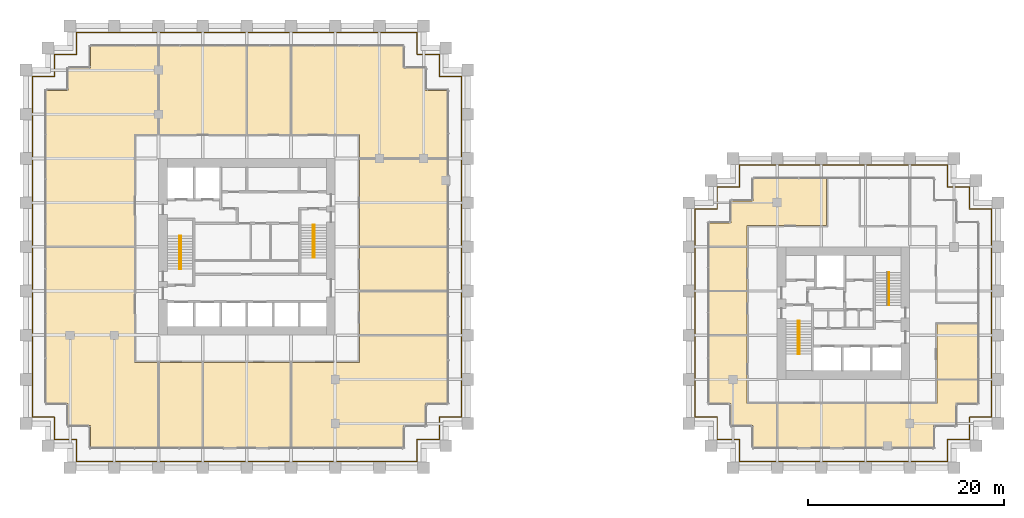
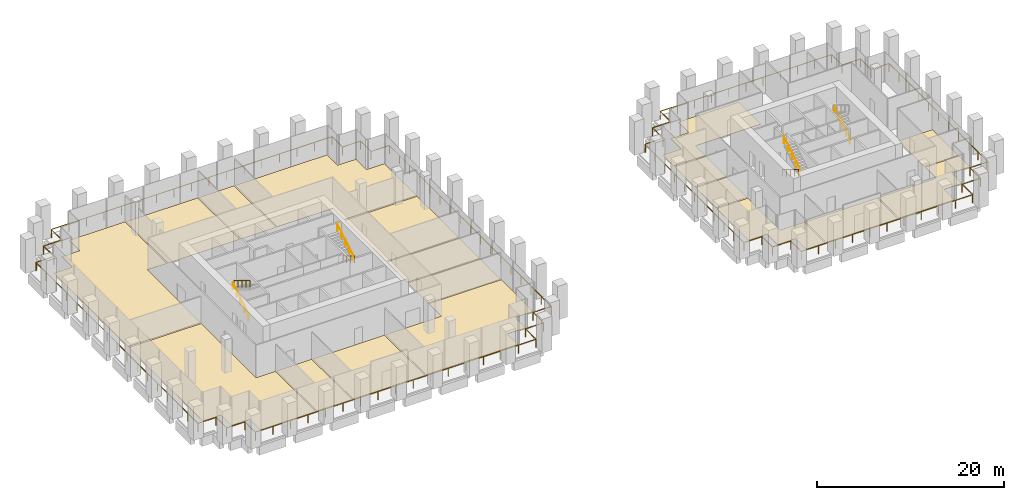
# One storey, part 35 of 36: 18 coverings, 9 railings.
"""IFC4 building model written with IfcOpenShell, lengths in metres."""

import ifcopenshell
import ifcopenshell.guid

model = None  # the IFC model being written
_history = None  # IfcOwnerHistory: only IFC2X3 demands one
_inside = {}  # id of a spatial element -> (the spatial element, [elements in it])
_under = {}  # id of a project, library or spatial element -> (it, [spatial elements below it])
_declared = {}  # id of a project -> (the project, [libraries it declares])
_typed = {}  # id of a type object -> (the type object, [elements of that type])
_made_of = {}  # id of a material, layer set ... -> (it, [elements and type objects made of it])


def new_model(schema):
    """Start an empty IFC model of exactly this schema.

    Asked for "IFC4X3", IfcOpenShell would pick the latest addendum, in which some entities
    have other attributes; the version numbers below select the first issue.
    IFC2X3 requires an IfcOwnerHistory on every rooted entity: one is made here for all.
    """
    global model, _history
    if schema == "IFC4X3":
        model = ifcopenshell.file(schema_version=(4, 3, 0, 0))
    else:
        model = ifcopenshell.file(schema=schema)
    _inside.clear()
    _under.clear()
    _declared.clear()
    _typed.clear()
    _made_of.clear()
    _history = None
    if model.schema == "IFC2X3":
        org = make("IfcOrganization", Name="unknown")
        user = make(
            "IfcPersonAndOrganization",
            ThePerson=make("IfcPerson", FamilyName="unknown"),
            TheOrganization=org,
        )
        app = make(
            "IfcApplication",
            ApplicationDeveloper=org,
            Version="unknown",
            ApplicationFullName="unknown",
            ApplicationIdentifier="unknown",
        )
        _history = make(
            "IfcOwnerHistory",
            OwningUser=user,
            OwningApplication=app,
            ChangeAction="ADDED",
            CreationDate=0,
        )
    return model


def make(cls, **values):
    """One entity of the class cls with the attributes given. An attribute that is None is left unset."""
    return model.create_entity(
        cls, **{name: value for name, value in values.items() if value is not None}
    )


def rooted(cls, **values):
    """An entity with a GlobalId (a new one), such as an element, a storey or a relation."""
    return make(cls, GlobalId=ifcopenshell.guid.new(), OwnerHistory=_history, **values)


def si_unit(unit_type, name, prefix=None):
    """IfcSIUnit, for example si_unit("LENGTHUNIT", "METRE", prefix="MILLI")."""
    return make("IfcSIUnit", UnitType=unit_type, Prefix=prefix, Name=name)


def assignment(units):
    """IfcUnitAssignment: the units of a project."""
    return None if units is None else make("IfcUnitAssignment", Units=units)


def point(xyz):
    """IfcCartesianPoint."""
    return None if xyz is None else make("IfcCartesianPoint", Coordinates=xyz)


def direction(xyz):
    """IfcDirection."""
    return None if xyz is None else make("IfcDirection", DirectionRatios=xyz)


def frame(location, z_axis=None, x_axis=None):
    """IfcAxis2Placement3D, a coordinate frame: its origin and axes. An axis left out is left unset."""
    return make(
        "IfcAxis2Placement3D",
        Location=point(location),
        Axis=direction(z_axis),
        RefDirection=direction(x_axis),
    )


def frame_2d(location, x_axis=None):
    """IfcAxis2Placement2D, a coordinate frame in the plane: its origin and x axis."""
    return make(
        "IfcAxis2Placement2D", Location=point(location), RefDirection=direction(x_axis)
    )


def origin():
    """The frame at (0, 0, 0) with its axes left unset."""
    return frame((0.0, 0.0, 0.0))


def origin_2d():
    """The frame at (0, 0) in the plane with its x axis left unset."""
    return frame_2d((0.0, 0.0))


def place(relative_to, where):
    """IfcLocalPlacement: puts the frame where relative to a parent placement (None: the world)."""
    return make(
        "IfcLocalPlacement", PlacementRelTo=relative_to, RelativePlacement=where
    )


def context(
    kind, dimensions, precision=None, world=None, true_north=None, identifier=None
):
    """IfcGeometricRepresentationContext, for example the 3D "Model" context."""
    return make(
        "IfcGeometricRepresentationContext",
        ContextIdentifier=identifier,
        ContextType=kind,
        CoordinateSpaceDimension=dimensions,
        Precision=precision,
        WorldCoordinateSystem=world,
        TrueNorth=true_north,
    )


def subcontext(parent, identifier, kind, view, scale=None):
    """IfcGeometricRepresentationSubContext, for example "Body" below "Model"."""
    return make(
        "IfcGeometricRepresentationSubContext",
        ContextIdentifier=identifier,
        ContextType=kind,
        ParentContext=parent,
        TargetScale=scale,
        TargetView=view,
    )


def project(units=None, contexts=None):
    """IfcProject with its units and contexts."""
    return rooted(
        "IfcProject",
        Name="project",
        RepresentationContexts=contexts,
        UnitsInContext=assignment(units),
    )


def spatial(cls, under=None, at=None, **own):
    """A site, building, storey or space (cls), placed at a placement, below another one or the project."""
    s = rooted(cls, ObjectPlacement=at, **own)
    if under is not None:
        _under.setdefault(under.id(), (under, []))[1].append(s)
    return s


def polyline(points):
    """IfcPolyline through the points."""
    return make("IfcPolyline", Points=[point(p) for p in points])


def profile(cls, at=None, kind="AREA", **sizes):
    """A parametric profile (cls). Its sizes go by their IFC names, for example OverallWidth=200.0."""
    return make(cls, ProfileType=kind, Position=at, **sizes)


def circle(**sizes):
    """IfcCircleProfileDef."""
    return profile("IfcCircleProfileDef", **sizes)


def outline(outer, holes=None, kind="AREA"):
    """IfcArbitraryClosedProfileDef: a profile drawn as a closed curve; with holes, ...WithVoids."""
    if holes is None:
        return make("IfcArbitraryClosedProfileDef", ProfileType=kind, OuterCurve=outer)
    return make(
        "IfcArbitraryProfileDefWithVoids",
        ProfileType=kind,
        OuterCurve=outer,
        InnerCurves=holes,
    )


def extrude(swept, where, along, depth):
    """IfcExtrudedAreaSolid: the profile swept, set in the frame where, extruded along a direction by depth."""
    return make(
        "IfcExtrudedAreaSolid",
        SweptArea=swept,
        Position=where,
        ExtrudedDirection=direction(along),
        Depth=depth,
    )


def shape(context_of_items, identifier, shape_type, items):
    """IfcShapeRepresentation: the items that make up one representation, for example the "Body"."""
    return make(
        "IfcShapeRepresentation",
        ContextOfItems=context_of_items,
        RepresentationIdentifier=identifier,
        RepresentationType=shape_type,
        Items=items,
    )


def source(mapping_origin, context_of_items, identifier, shape_type, items):
    """IfcRepresentationMap: a shape defined once, which mapped items show again and again."""
    return make(
        "IfcRepresentationMap",
        MappingOrigin=mapping_origin,
        MappedRepresentation=shape(context_of_items, identifier, shape_type, items),
    )


def transform(
    local_origin,
    x_axis=None,
    y_axis=None,
    z_axis=None,
    scale=None,
    scale2=None,
    scale3=None,
    uniform=True,
):
    """IfcCartesianTransformationOperator3D, or its non-uniform kind. x_axis, y_axis, z_axis: its Axis1, 2, 3."""
    if uniform:
        return make(
            "IfcCartesianTransformationOperator3D",
            Axis1=direction(x_axis),
            Axis2=direction(y_axis),
            LocalOrigin=point(local_origin),
            Scale=scale,
            Axis3=direction(z_axis),
        )
    return make(
        "IfcCartesianTransformationOperator3DnonUniform",
        Axis1=direction(x_axis),
        Axis2=direction(y_axis),
        LocalOrigin=point(local_origin),
        Scale=scale,
        Axis3=direction(z_axis),
        Scale2=scale2,
        Scale3=scale3,
    )


def mapped(mapping_source, mapping_target):
    """IfcMappedItem: shows the shape of a source again, moved by a transform."""
    return make(
        "IfcMappedItem", MappingSource=mapping_source, MappingTarget=mapping_target
    )


def material(Name=None, Category=None):
    """IfcMaterial."""
    return make("IfcMaterial", Name=Name, Category=Category)


def layer(
    of_material, thickness, ventilated=None, Name=None, Category=None, Priority=None
):
    """IfcMaterialLayer: one layer of a wall or slab, of a material (None: an air gap)."""
    return make(
        "IfcMaterialLayer",
        Material=of_material,
        LayerThickness=thickness,
        IsVentilated=ventilated,
        Name=Name,
        Category=Category,
        Priority=Priority,
    )


def layer_set(layers, Name=None):
    """IfcMaterialLayerSet."""
    return make("IfcMaterialLayerSet", MaterialLayers=layers, LayerSetName=Name)


def made_of(thing, what):
    """Note that an element or type object is made of a material, layer set ...; save() writes the relation."""
    if what is not None:
        _made_of.setdefault(what.id(), (what, []))[1].append(thing)
    return thing


def type_object(cls, material=None, **own):
    """A type object (cls), such as IfcWallType, which elements share."""
    return made_of(rooted(cls, **own), material)


def element(
    cls,
    number,
    at=None,
    inside=None,
    cuts=None,
    type_object=None,
    material=None,
    context=None,
    identifier="Body",
    shape_type=None,
    held_by="IfcProductDefinitionShape",
    body=None,
    shapes=None,
    **own,
):
    """One element of the class cls, such as IfcWall. Its Tag is "e" and its number.

    at: its placement. inside: the storey or other place that contains it. cuts: it is an
    opening in that element (IfcRelVoidsElement). A single representation is given by context,
    identifier, shape_type and body (its items); several are given by shapes. held_by: the class
    of the entity that holds the representations. save() writes the other relations.
    """
    e = rooted(cls, Tag="e%d" % number, ObjectPlacement=at, **own)
    if body is not None:
        shapes = [shape(context, identifier, shape_type, body)]
    if shapes is not None:
        e.Representation = make(held_by, Representations=shapes)
    if inside is not None:
        _inside.setdefault(inside.id(), (inside, []))[1].append(e)
    if cuts is not None:
        rooted(
            "IfcRelVoidsElement", RelatingBuildingElement=cuts, RelatedOpeningElement=e
        )
    if type_object is not None:
        _typed.setdefault(type_object.id(), (type_object, []))[1].append(e)
    return made_of(e, material)


def aggregate(whole, parts):
    """IfcRelAggregates: a whole, such as a stair, and the parts it consists of."""
    return rooted("IfcRelAggregates", RelatingObject=whole, RelatedObjects=parts)


def save(model, path):
    """Write the relations noted so far, then the file.

    IfcRelAggregates (storeys below a building ...), IfcRelContainedInSpatialStructure (elements
    in a storey), IfcRelDefinesByType, IfcRelAssociatesMaterial and IfcRelDeclares: one each for
    every whole, place, type object, material and project.
    """
    for whole, parts in _under.values():
        aggregate(whole, parts)
    for where, things in _inside.values():
        rooted(
            "IfcRelContainedInSpatialStructure",
            RelatedElements=things,
            RelatingStructure=where,
        )
    for kind, things in _typed.values():
        rooted("IfcRelDefinesByType", RelatedObjects=things, RelatingType=kind)
    for what, things in _made_of.values():
        rooted("IfcRelAssociatesMaterial", RelatedObjects=things, RelatingMaterial=what)
    for by, libraries in _declared.values():
        rooted("IfcRelDeclares", RelatingContext=by, RelatedDefinitions=libraries)
    model.write(path)


model = new_model("IFC4")

# Units and contexts
model_context = context("Model", 3, precision=1e-05, world=origin(), true_north=direction((0.0, 1.0)))
body_context = subcontext(model_context, "Body", "Model", "MODEL_VIEW")
ifc_project = project(units=[si_unit("LENGTHUNIT", "METRE"), si_unit("AREAUNIT", "SQUARE_METRE"), si_unit("VOLUMEUNIT", "CUBIC_METRE"), si_unit("PLANEANGLEUNIT", "RADIAN"), si_unit("MASSUNIT", "GRAM", prefix="KILO")], contexts=[model_context])

# Site, building, storey
site_placement = place(None, origin())
site = spatial("IfcSite", under=ifc_project, at=site_placement, CompositionType="ELEMENT")
building_placement = place(site_placement, origin())
building = spatial("IfcBuilding", under=site, at=building_placement, Name="Altepetl Exchange Towers", CompositionType="ELEMENT")
storey_placement = place(building_placement, frame((0.0, 0.0, 43.0)))
storey = spatial("IfcBuildingStorey", under=building, at=storey_placement, Name="L09", CompositionType="ELEMENT", Elevation=43.0)

# Coverings
ifc_material_1 = material(Name="Carpet tile")
ifc_layer_1 = layer(ifc_material_1, 0.02001953125)
ifc_layer_set_1 = layer_set([ifc_layer_1], Name="Carpet tile")
covering_type_1 = type_object("IfcCoveringType", Name="Carpet tile floor", PredefinedType="FLOORING", material=ifc_layer_set_1)
covering_1_placement = place(storey_placement, origin())
element("IfcCovering", 1, at=covering_1_placement, inside=storey, type_object=covering_type_1, Name="Open office floor finish A09.01", PredefinedType="FLOORING", context=body_context, shape_type="SweptSolid", body=[
    extrude(outline(polyline([(40.4375, 29.0625), (40.4375, 37.737548828125), (38.03759765625, 37.737548828125), (38.03759765625, 49.4375), (29.0625, 49.4375), (29.0625, 33.5625), (31.3125, 33.5625), (31.3125, 31.3125), (33.5625, 31.3125), (33.5625, 29.0625), (40.4375, 29.0625)])), origin(), (0.0, 0.0, 1.0), 0.02001953125),
])
covering_2_placement = place(storey_placement, origin())
element("IfcCovering", 2, at=covering_2_placement, inside=storey, type_object=covering_type_1, Name="Pantry floor finish A09.02", PredefinedType="FLOORING", context=body_context, shape_type="SweptSolid", body=[
    extrude(outline(polyline([(44.9375, 29.0625), (44.9375, 37.737548828125), (40.5625, 37.737548828125), (40.5625, 29.0625), (44.9375, 29.0625)])), origin(), (0.0, 0.0, 1.0), 0.02001953125),
])
covering_3_placement = place(storey_placement, origin())
element("IfcCovering", 3, at=covering_3_placement, inside=storey, type_object=covering_type_1, Name="Huddle room floor finish A09.03", PredefinedType="FLOORING", context=body_context, shape_type="SweptSolid", body=[
    extrude(outline(polyline([(53.9375, 29.0625), (53.9375, 37.737548828125), (45.0625, 37.737548828125), (45.0625, 29.0625), (53.9375, 29.0625)])), origin(), (0.0, 0.0, 1.0), 0.02001953125),
])
covering_4_placement = place(storey_placement, origin())
element("IfcCovering", 4, at=covering_4_placement, inside=storey, type_object=covering_type_1, Name="Pantry floor finish A09.05", PredefinedType="FLOORING", context=body_context, shape_type="SweptSolid", body=[
    extrude(outline(polyline([(69.9375, 44.9375), (60.96240234375, 44.9375), (60.96240234375, 40.5625), (69.9375, 40.5625), (69.9375, 44.9375)])), origin(), (0.0, 0.0, 1.0), 0.02001953125),
])
covering_5_placement = place(storey_placement, origin())
element("IfcCovering", 5, at=covering_5_placement, inside=storey, type_object=covering_type_1, Name="Quiet room floor finish A09.06", PredefinedType="FLOORING", context=body_context, shape_type="SweptSolid", body=[
    extrude(outline(polyline([(69.9375, 49.4375), (60.96240234375, 49.4375), (60.96240234375, 45.0625), (69.9375, 45.0625), (69.9375, 49.4375)])), origin(), (0.0, 0.0, 1.0), 0.02001953125),
])
covering_6_placement = place(storey_placement, origin())
element("IfcCovering", 6, at=covering_6_placement, inside=storey, type_object=covering_type_1, Name="Huddle room floor finish A09.07", PredefinedType="FLOORING", context=body_context, shape_type="SweptSolid", body=[
    extrude(outline(polyline([(69.9375, 58.4375), (60.96240234375, 58.4375), (60.96240234375, 49.5625), (69.9375, 49.5625), (69.9375, 58.4375)])), origin(), (0.0, 0.0, 1.0), 0.02001953125),
])
covering_7_placement = place(storey_placement, origin())
element("IfcCovering", 7, at=covering_7_placement, inside=storey, type_object=covering_type_1, Name="Pantry floor finish A09.09", PredefinedType="FLOORING", context=body_context, shape_type="SweptSolid", body=[
    extrude(outline(polyline([(49.5625, 69.9375), (49.5625, 60.96240234375), (53.9375, 60.96240234375), (53.9375, 69.9375), (49.5625, 69.9375)])), origin(), (0.0, 0.0, 1.0), 0.02001953125),
])
covering_8_placement = place(storey_placement, origin())
element("IfcCovering", 8, at=covering_8_placement, inside=storey, type_object=covering_type_1, Name="Meeting room floor finish A09.10", PredefinedType="FLOORING", context=body_context, shape_type="SweptSolid", body=[
    extrude(outline(polyline([(40.5625, 69.9375), (40.5625, 60.96240234375), (49.4375, 60.96240234375), (49.4375, 69.9375), (40.5625, 69.9375)])), origin(), (0.0, 0.0, 1.0), 0.02001953125),
])
covering_9_placement = place(storey_placement, origin())
element("IfcCovering", 9, at=covering_9_placement, inside=storey, type_object=covering_type_1, Name="Interview room floor finish B09.01", PredefinedType="FLOORING", context=body_context, shape_type="SweptSolid", body=[
    extrude(outline(polyline([(100.4375, 40.4375), (96.5625, 40.4375), (96.5625, 33.5625), (98.8125, 33.5625), (98.8125, 31.3125), (101.0625, 31.3125), (101.0625, 29.0625), (103.4375, 29.0625), (103.4375, 33.53759765625), (100.4375, 33.53759765625), (100.4375, 40.4375)])), origin(), (0.0, 0.0, 1.0), 0.02001953125),
])
covering_10_placement = place(storey_placement, origin())
element("IfcCovering", 10, at=covering_10_placement, inside=storey, type_object=covering_type_1, Name="Meeting room floor finish B09.02", PredefinedType="FLOORING", context=body_context, shape_type="SweptSolid", body=[
    extrude(outline(polyline([(103.5625, 33.53759765625), (103.5625, 29.0625), (112.4375, 29.0625), (112.4375, 33.53759765625), (103.5625, 33.53759765625)])), origin(), (0.0, 0.0, 1.0), 0.02001953125),
])
covering_11_placement = place(storey_placement, origin())
element("IfcCovering", 11, at=covering_11_placement, inside=storey, type_object=covering_type_1, Name="Quiet room floor finish B09.04", PredefinedType="FLOORING", context=body_context, shape_type="SweptSolid", body=[
    extrude(outline(polyline([(119.762451171875, 41.637451171875), (119.762451171875, 36.0625), (123.9375, 36.0625), (123.9375, 41.637451171875), (119.762451171875, 41.637451171875)])), origin(), (0.0, 0.0, 1.0), 0.02001953125),
])
covering_12_placement = place(storey_placement, origin())
element("IfcCovering", 12, at=covering_12_placement, inside=storey, type_object=covering_type_1, Name="Pantry floor finish B09.08", PredefinedType="FLOORING", context=body_context, shape_type="SweptSolid", body=[
    extrude(outline(polyline([(100.4375, 49.4375), (96.5625, 49.4375), (96.5625, 45.0625), (100.4375, 45.0625), (100.4375, 49.4375)])), origin(), (0.0, 0.0, 1.0), 0.02001953125),
])
covering_13_placement = place(storey_placement, origin())
element("IfcCovering", 13, at=covering_13_placement, inside=storey, type_object=covering_type_1, Name="Pantry floor finish B09.09", PredefinedType="FLOORING", context=body_context, shape_type="SweptSolid", body=[
    extrude(outline(polyline([(100.4375, 44.9375), (96.5625, 44.9375), (96.5625, 40.5625), (100.4375, 40.5625), (100.4375, 44.9375)])), origin(), (0.0, 0.0, 1.0), 0.02001953125),
])
ifc_material_2 = material(Name="Calcium sulphate access floor panel")
ifc_layer_2 = layer(ifc_material_2, 0.0400390625)
ifc_layer_set_2 = layer_set([ifc_layer_2], Name="Calcium sulphate access floor panel")
covering_type_2 = type_object("IfcCoveringType", Name="Raised access floor panels", PredefinedType="FLOORING", material=ifc_layer_set_2)
covering_14_placement = place(storey_placement, origin())
element("IfcCovering", 14, at=covering_14_placement, inside=storey, type_object=covering_type_2, Name="Trading office floor finish A09.04", PredefinedType="FLOORING", context=body_context, shape_type="SweptSolid", body=[
    extrude(outline(polyline([(69.9375, 40.4375), (60.96240234375, 40.4375), (60.96240234375, 37.737548828125), (54.0625, 37.737548828125), (54.0625, 29.0625), (65.4375, 29.0625), (65.4375, 31.3125), (67.6875, 31.3125), (67.6875, 33.5625), (69.9375, 33.5625), (69.9375, 40.4375)])), origin(), (0.0, 0.0, 1.0), 0.0400390625),
])
covering_15_placement = place(storey_placement, origin())
element("IfcCovering", 15, at=covering_15_placement, inside=storey, type_object=covering_type_2, Name="Broker office floor finish A09.08", PredefinedType="FLOORING", context=body_context, shape_type="SweptSolid", body=[
    extrude(outline(polyline([(54.0625, 69.9375), (54.0625, 60.96240234375), (60.96240234375, 60.96240234375), (60.96240234375, 58.5625), (69.9375, 58.5625), (69.9375, 65.4375), (67.6875, 65.4375), (67.6875, 67.6875), (65.4375, 67.6875), (65.4375, 69.9375), (54.0625, 69.9375)])), origin(), (0.0, 0.0, 1.0), 0.0400390625),
])
covering_16_placement = place(storey_placement, origin())
element("IfcCovering", 16, at=covering_16_placement, inside=storey, type_object=covering_type_2, Name="Dealing office floor finish A09.11", PredefinedType="FLOORING", context=body_context, shape_type="SweptSolid", body=[
    extrude(outline(polyline([(33.5625, 69.9375), (33.5625, 67.6875), (31.3125, 67.6875), (31.3125, 65.4375), (29.0625, 65.4375), (29.0625, 49.5625), (38.03759765625, 49.5625), (38.03759765625, 60.96240234375), (40.4375, 60.96240234375), (40.4375, 69.9375), (33.5625, 69.9375)])), origin(), (0.0, 0.0, 1.0), 0.0400390625),
])
covering_17_placement = place(storey_placement, origin())
element("IfcCovering", 17, at=covering_17_placement, inside=storey, type_object=covering_type_2, Name="Trading office floor finish B09.03", PredefinedType="FLOORING", context=body_context, shape_type="SweptSolid", body=[
    extrude(outline(polyline([(112.5625, 33.53759765625), (112.5625, 29.0625), (119.4375, 29.0625), (119.4375, 31.3125), (121.6875, 31.3125), (121.6875, 33.5625), (123.9375, 33.5625), (123.9375, 35.9375), (119.762451171875, 35.9375), (119.762451171875, 33.53759765625), (112.5625, 33.53759765625)])), origin(), (0.0, 0.0, 1.0), 0.0400390625),
])
covering_18_placement = place(storey_placement, origin())
element("IfcCovering", 18, at=covering_18_placement, inside=storey, type_object=covering_type_2, Name="Broker office floor finish B09.07", PredefinedType="FLOORING", context=body_context, shape_type="SweptSolid", body=[
    extrude(outline(polyline([(108.53759765625, 51.66259765625), (108.53759765625, 56.4375), (101.0625, 56.4375), (101.0625, 54.1875), (98.8125, 54.1875), (98.8125, 51.9375), (96.5625, 51.9375), (96.5625, 49.5625), (100.4375, 49.5625), (100.4375, 51.66259765625), (108.53759765625, 51.66259765625)])), origin(), (0.0, 0.0, 1.0), 0.0400390625),
])

# Railings
ifc_material_3 = material(Name="Steel S355", Category="steel")
railing_type_1 = type_object("IfcRailingType", Name="Guard 1100 steel posts and rail", PredefinedType="GUARDRAIL", material=ifc_material_3)
shared_shape_1 = source(origin(), body_context, "Body", "SweptSolid", [
    extrude(circle(Radius=0.02099609375, at=origin_2d()), origin(), (0.0, 0.0, 1.0), 1.052001953125),
])
railing_1_placement = place(storey_placement, frame((27.64990234375, 66.85009765625, 0.0)))
element("IfcRailing", 19, at=railing_1_placement, inside=storey, type_object=railing_type_1, Name="Loggia guard", PredefinedType="GUARDRAIL", context=body_context, shape_type="SweptSolid", body=[
    extrude(circle(Radius=0.02392578125, at=origin_2d()), frame((0.0, 0.0, 1.076171875), z_axis=(0.0, -1.0, 0.0), x_axis=(1.0, 0.0, 0.0)), (0.0, 0.0, 1.0), 34.7001953125),
    extrude(circle(Radius=0.02392578125, at=origin_2d()), frame((0.0, -34.7001953125, 1.076171875), z_axis=(1.0, 0.0, 0.0), x_axis=(0.0, 1.0, 0.0)), (0.0, 0.0, 1.0), 2.25),
    extrude(circle(Radius=0.02392578125, at=origin_2d()), frame((2.25, -34.7001953125, 1.076171875), z_axis=(0.0, -1.0, 0.0), x_axis=(1.0, 0.0, 0.0)), (0.0, 0.0, 1.0), 2.25),
    extrude(circle(Radius=0.02392578125, at=origin_2d()), frame((2.25, -36.9501953125, 1.076171875), z_axis=(1.0, 0.0, 0.0), x_axis=(0.0, 1.0, 0.0)), (0.0, 0.0, 1.0), 2.25),
    extrude(circle(Radius=0.02392578125, at=origin_2d()), frame((4.5, -36.9501953125, 1.076171875), z_axis=(0.0, -1.0, 0.0), x_axis=(1.0, 0.0, 0.0)), (0.0, 0.0, 1.0), 2.25),
    extrude(circle(Radius=0.02392578125, at=origin_2d()), frame((4.5, -39.2001953125, 1.076171875), z_axis=(1.0, 0.0, 0.0), x_axis=(0.0, 1.0, 0.0)), (0.0, 0.0, 1.0), 34.7001953125),
    extrude(circle(Radius=0.02392578125, at=origin_2d()), frame((39.2001953125, -39.2001953125, 1.076171875), z_axis=(0.0, 1.0, 0.0), x_axis=(-1.0, 0.0, 0.0)), (0.0, 0.0, 1.0), 2.25),
    extrude(circle(Radius=0.02392578125, at=origin_2d()), frame((39.2001953125, -36.9501953125, 1.076171875), z_axis=(1.0, 0.0, 0.0), x_axis=(0.0, 1.0, 0.0)), (0.0, 0.0, 1.0), 2.25),
    extrude(circle(Radius=0.02392578125, at=origin_2d()), frame((41.4501953125, -36.9501953125, 1.076171875), z_axis=(0.0, 1.0, 0.0), x_axis=(-1.0, 0.0, 0.0)), (0.0, 0.0, 1.0), 2.25),
    extrude(circle(Radius=0.02392578125, at=origin_2d()), frame((41.4501953125, -34.7001953125, 1.076171875), z_axis=(1.0, 0.0, 0.0), x_axis=(0.0, 1.0, 0.0)), (0.0, 0.0, 1.0), 2.25),
    extrude(circle(Radius=0.02392578125, at=origin_2d()), frame((43.7001953125, -34.7001953125, 1.076171875), z_axis=(0.0, 1.0, 0.0), x_axis=(-1.0, 0.0, 0.0)), (0.0, 0.0, 1.0), 34.7001953125),
    extrude(circle(Radius=0.02392578125, at=origin_2d()), frame((43.7001953125, 0.0, 1.076171875), z_axis=(-1.0, 0.0, 0.0), x_axis=(0.0, -1.0, 0.0)), (0.0, 0.0, 1.0), 2.25),
    extrude(circle(Radius=0.02392578125, at=origin_2d()), frame((41.4501953125, 0.0, 1.076171875), z_axis=(0.0, 1.0, 0.0), x_axis=(-1.0, 0.0, 0.0)), (0.0, 0.0, 1.0), 2.25),
    extrude(circle(Radius=0.02392578125, at=origin_2d()), frame((41.4501953125, 2.25, 1.076171875), z_axis=(-1.0, 0.0, 0.0), x_axis=(0.0, -1.0, 0.0)), (0.0, 0.0, 1.0), 2.25),
    extrude(circle(Radius=0.02392578125, at=origin_2d()), frame((39.2001953125, 2.25, 1.076171875), z_axis=(0.0, 1.0, 0.0), x_axis=(-1.0, 0.0, 0.0)), (0.0, 0.0, 1.0), 2.25),
    extrude(circle(Radius=0.02392578125, at=origin_2d()), frame((39.2001953125, 4.5, 1.076171875), z_axis=(-1.0, 0.0, 0.0), x_axis=(0.0, -1.0, 0.0)), (0.0, 0.0, 1.0), 34.7001953125),
    extrude(circle(Radius=0.02392578125, at=origin_2d()), frame((4.5, 4.5, 1.076171875), z_axis=(0.0, -1.0, 0.0), x_axis=(1.0, 0.0, 0.0)), (0.0, 0.0, 1.0), 2.25),
    extrude(circle(Radius=0.02392578125, at=origin_2d()), frame((4.5, 2.25, 1.076171875), z_axis=(-1.0, 0.0, 0.0), x_axis=(0.0, -1.0, 0.0)), (0.0, 0.0, 1.0), 2.25),
    extrude(circle(Radius=0.02392578125, at=origin_2d()), frame((2.25, 2.25, 1.076171875), z_axis=(0.0, -1.0, 0.0), x_axis=(1.0, 0.0, 0.0)), (0.0, 0.0, 1.0), 2.25),
    extrude(circle(Radius=0.02392578125, at=origin_2d()), frame((2.25, 0.0, 1.076171875), z_axis=(-1.0, 0.0, 0.0), x_axis=(0.0, -1.0, 0.0)), (0.0, 0.0, 1.0), 2.14990234375),
    mapped(shared_shape_1, transform((0.0, 0.0, 0.0))),
    mapped(shared_shape_1, transform((0.0, -2.168701171875, 0.0))),
    mapped(shared_shape_1, transform((0.0, -4.33740234375, 0.0))),
    mapped(shared_shape_1, transform((0.0, -6.50634765625, 0.0))),
    mapped(shared_shape_1, transform((0.0, -8.675048828125, 0.0))),
    mapped(shared_shape_1, transform((0.0, -10.84375, 0.0))),
    mapped(shared_shape_1, transform((0.0, -13.0126953125, 0.0))),
    mapped(shared_shape_1, transform((0.0, -15.181396484375, 0.0))),
    mapped(shared_shape_1, transform((0.0, -17.35009765625, 0.0))),
    mapped(shared_shape_1, transform((0.0, -19.518798828125, 0.0))),
    mapped(shared_shape_1, transform((0.0, -21.6875, 0.0))),
    mapped(shared_shape_1, transform((0.0, -23.8564453125, 0.0))),
    mapped(shared_shape_1, transform((0.0, -26.025146484375, 0.0))),
    mapped(shared_shape_1, transform((0.0, -28.19384765625, 0.0))),
    mapped(shared_shape_1, transform((0.0, -30.36279296875, 0.0))),
    mapped(shared_shape_1, transform((0.0, -32.531494140625, 0.0))),
    mapped(shared_shape_1, transform((0.0, -34.7001953125, 0.0))),
    mapped(shared_shape_1, transform((2.25, -34.7001953125, 0.0))),
    mapped(shared_shape_1, transform((2.25, -36.9501953125, 0.0))),
    mapped(shared_shape_1, transform((4.5, -36.9501953125, 0.0))),
    mapped(shared_shape_1, transform((4.5, -39.2001953125, 0.0))),
    mapped(shared_shape_1, transform((6.668701171875, -39.2001953125, 0.0))),
    mapped(shared_shape_1, transform((8.83740234375, -39.2001953125, 0.0))),
    mapped(shared_shape_1, transform((11.00634765625, -39.2001953125, 0.0))),
    mapped(shared_shape_1, transform((13.175048828125, -39.2001953125, 0.0))),
    mapped(shared_shape_1, transform((15.34375, -39.2001953125, 0.0))),
    mapped(shared_shape_1, transform((17.5126953125, -39.2001953125, 0.0))),
    mapped(shared_shape_1, transform((19.681396484375, -39.2001953125, 0.0))),
    mapped(shared_shape_1, transform((21.85009765625, -39.2001953125, 0.0))),
    mapped(shared_shape_1, transform((24.018798828125, -39.2001953125, 0.0))),
    mapped(shared_shape_1, transform((26.1875, -39.2001953125, 0.0))),
    mapped(shared_shape_1, transform((28.3564453125, -39.2001953125, 0.0))),
    mapped(shared_shape_1, transform((30.525146484375, -39.2001953125, 0.0))),
    mapped(shared_shape_1, transform((32.69384765625, -39.2001953125, 0.0))),
    mapped(shared_shape_1, transform((34.86279296875, -39.2001953125, 0.0))),
    mapped(shared_shape_1, transform((37.031494140625, -39.2001953125, 0.0))),
    mapped(shared_shape_1, transform((39.2001953125, -39.2001953125, 0.0))),
    mapped(shared_shape_1, transform((39.2001953125, -36.9501953125, 0.0))),
    mapped(shared_shape_1, transform((41.4501953125, -36.9501953125, 0.0))),
    mapped(shared_shape_1, transform((41.4501953125, -34.7001953125, 0.0))),
    mapped(shared_shape_1, transform((43.7001953125, -34.7001953125, 0.0))),
    mapped(shared_shape_1, transform((43.7001953125, -32.531494140625, 0.0))),
    mapped(shared_shape_1, transform((43.7001953125, -30.36279296875, 0.0))),
    mapped(shared_shape_1, transform((43.7001953125, -28.19384765625, 0.0))),
    mapped(shared_shape_1, transform((43.7001953125, -26.025146484375, 0.0))),
    mapped(shared_shape_1, transform((43.7001953125, -23.8564453125, 0.0))),
    mapped(shared_shape_1, transform((43.7001953125, -21.6875, 0.0))),
    mapped(shared_shape_1, transform((43.7001953125, -19.518798828125, 0.0))),
    mapped(shared_shape_1, transform((43.7001953125, -17.35009765625, 0.0))),
    mapped(shared_shape_1, transform((43.7001953125, -15.181396484375, 0.0))),
    mapped(shared_shape_1, transform((43.7001953125, -13.0126953125, 0.0))),
    mapped(shared_shape_1, transform((43.7001953125, -10.84375, 0.0))),
    mapped(shared_shape_1, transform((43.7001953125, -8.675048828125, 0.0))),
    mapped(shared_shape_1, transform((43.7001953125, -6.50634765625, 0.0))),
    mapped(shared_shape_1, transform((43.7001953125, -4.33740234375, 0.0))),
    mapped(shared_shape_1, transform((43.7001953125, -2.168701171875, 0.0))),
    mapped(shared_shape_1, transform((43.7001953125, 0.0, 0.0))),
    mapped(shared_shape_1, transform((41.4501953125, 0.0, 0.0))),
    mapped(shared_shape_1, transform((41.4501953125, 2.25, 0.0))),
    mapped(shared_shape_1, transform((39.2001953125, 2.25, 0.0))),
    mapped(shared_shape_1, transform((39.2001953125, 4.5, 0.0))),
    mapped(shared_shape_1, transform((37.031494140625, 4.5, 0.0))),
    mapped(shared_shape_1, transform((34.86279296875, 4.5, 0.0))),
    mapped(shared_shape_1, transform((32.69384765625, 4.5, 0.0))),
    mapped(shared_shape_1, transform((30.525146484375, 4.5, 0.0))),
    mapped(shared_shape_1, transform((28.3564453125, 4.5, 0.0))),
    mapped(shared_shape_1, transform((26.1875, 4.5, 0.0))),
    mapped(shared_shape_1, transform((24.018798828125, 4.5, 0.0))),
    mapped(shared_shape_1, transform((21.85009765625, 4.5, 0.0))),
    mapped(shared_shape_1, transform((19.681396484375, 4.5, 0.0))),
    mapped(shared_shape_1, transform((17.5126953125, 4.5, 0.0))),
    mapped(shared_shape_1, transform((15.34375, 4.5, 0.0))),
    mapped(shared_shape_1, transform((13.175048828125, 4.5, 0.0))),
    mapped(shared_shape_1, transform((11.00634765625, 4.5, 0.0))),
    mapped(shared_shape_1, transform((8.83740234375, 4.5, 0.0))),
    mapped(shared_shape_1, transform((6.668701171875, 4.5, 0.0))),
    mapped(shared_shape_1, transform((4.5, 4.5, 0.0))),
    mapped(shared_shape_1, transform((4.5, 2.25, 0.0))),
    mapped(shared_shape_1, transform((2.25, 2.25, 0.0))),
    mapped(shared_shape_1, transform((2.25, 0.0, 0.0))),
    mapped(shared_shape_1, transform((0.10009765625, 0.0, 0.0))),
])
railing_2_placement = place(storey_placement, frame((95.14990234375, 53.35009765625, 0.0)))
element("IfcRailing", 20, at=railing_2_placement, inside=storey, type_object=railing_type_1, Name="Loggia guard", PredefinedType="GUARDRAIL", context=body_context, shape_type="SweptSolid", body=[
    extrude(circle(Radius=0.02392578125, at=origin_2d()), frame((0.0, 0.0, 1.076171875), z_axis=(0.0, -1.0, 0.0), x_axis=(1.0, 0.0, 0.0)), (0.0, 0.0, 1.0), 21.2001953125),
    extrude(circle(Radius=0.02392578125, at=origin_2d()), frame((0.0, -21.2001953125, 1.076171875), z_axis=(1.0, 0.0, 0.0), x_axis=(0.0, 1.0, 0.0)), (0.0, 0.0, 1.0), 2.25),
    extrude(circle(Radius=0.02392578125, at=origin_2d()), frame((2.25, -21.2001953125, 1.076171875), z_axis=(0.0, -1.0, 0.0), x_axis=(1.0, 0.0, 0.0)), (0.0, 0.0, 1.0), 2.25),
    extrude(circle(Radius=0.02392578125, at=origin_2d()), frame((2.25, -23.4501953125, 1.076171875), z_axis=(1.0, 0.0, 0.0), x_axis=(0.0, 1.0, 0.0)), (0.0, 0.0, 1.0), 2.25),
    extrude(circle(Radius=0.02392578125, at=origin_2d()), frame((4.5, -23.4501953125, 1.076171875), z_axis=(0.0, -1.0, 0.0), x_axis=(1.0, 0.0, 0.0)), (0.0, 0.0, 1.0), 2.25),
    extrude(circle(Radius=0.02392578125, at=origin_2d()), frame((4.5, -25.7001953125, 1.076171875), z_axis=(1.0, 0.0, 0.0), x_axis=(0.0, 1.0, 0.0)), (0.0, 0.0, 1.0), 21.2001953125),
    extrude(circle(Radius=0.02392578125, at=origin_2d()), frame((25.7001953125, -25.7001953125, 1.076171875), z_axis=(0.0, 1.0, 0.0), x_axis=(-1.0, 0.0, 0.0)), (0.0, 0.0, 1.0), 2.25),
    extrude(circle(Radius=0.02392578125, at=origin_2d()), frame((25.7001953125, -23.4501953125, 1.076171875), z_axis=(1.0, 0.0, 0.0), x_axis=(0.0, 1.0, 0.0)), (0.0, 0.0, 1.0), 2.25),
    extrude(circle(Radius=0.02392578125, at=origin_2d()), frame((27.9501953125, -23.4501953125, 1.076171875), z_axis=(0.0, 1.0, 0.0), x_axis=(-1.0, 0.0, 0.0)), (0.0, 0.0, 1.0), 2.25),
    extrude(circle(Radius=0.02392578125, at=origin_2d()), frame((27.9501953125, -21.2001953125, 1.076171875), z_axis=(1.0, 0.0, 0.0), x_axis=(0.0, 1.0, 0.0)), (0.0, 0.0, 1.0), 2.25),
    extrude(circle(Radius=0.02392578125, at=origin_2d()), frame((30.2001953125, -21.2001953125, 1.076171875), z_axis=(0.0, 1.0, 0.0), x_axis=(-1.0, 0.0, 0.0)), (0.0, 0.0, 1.0), 21.2001953125),
    extrude(circle(Radius=0.02392578125, at=origin_2d()), frame((30.2001953125, 0.0, 1.076171875), z_axis=(-1.0, 0.0, 0.0), x_axis=(0.0, -1.0, 0.0)), (0.0, 0.0, 1.0), 2.25),
    extrude(circle(Radius=0.02392578125, at=origin_2d()), frame((27.9501953125, 0.0, 1.076171875), z_axis=(0.0, 1.0, 0.0), x_axis=(-1.0, 0.0, 0.0)), (0.0, 0.0, 1.0), 2.25),
    extrude(circle(Radius=0.02392578125, at=origin_2d()), frame((27.9501953125, 2.25, 1.076171875), z_axis=(-1.0, 0.0, 0.0), x_axis=(0.0, -1.0, 0.0)), (0.0, 0.0, 1.0), 2.25),
    extrude(circle(Radius=0.02392578125, at=origin_2d()), frame((25.7001953125, 2.25, 1.076171875), z_axis=(0.0, 1.0, 0.0), x_axis=(-1.0, 0.0, 0.0)), (0.0, 0.0, 1.0), 2.25),
    extrude(circle(Radius=0.02392578125, at=origin_2d()), frame((25.7001953125, 4.5, 1.076171875), z_axis=(-1.0, 0.0, 0.0), x_axis=(0.0, -1.0, 0.0)), (0.0, 0.0, 1.0), 21.2001953125),
    extrude(circle(Radius=0.02392578125, at=origin_2d()), frame((4.5, 4.5, 1.076171875), z_axis=(0.0, -1.0, 0.0), x_axis=(1.0, 0.0, 0.0)), (0.0, 0.0, 1.0), 2.25),
    extrude(circle(Radius=0.02392578125, at=origin_2d()), frame((4.5, 2.25, 1.076171875), z_axis=(-1.0, 0.0, 0.0), x_axis=(0.0, -1.0, 0.0)), (0.0, 0.0, 1.0), 2.25),
    extrude(circle(Radius=0.02392578125, at=origin_2d()), frame((2.25, 2.25, 1.076171875), z_axis=(0.0, -1.0, 0.0), x_axis=(1.0, 0.0, 0.0)), (0.0, 0.0, 1.0), 2.25),
    extrude(circle(Radius=0.02392578125, at=origin_2d()), frame((2.25, 0.0, 1.076171875), z_axis=(-1.0, 0.0, 0.0), x_axis=(0.0, -1.0, 0.0)), (0.0, 0.0, 1.0), 2.14990234375),
    mapped(shared_shape_1, transform((0.0, 0.0, 0.0))),
    mapped(shared_shape_1, transform((0.0, -2.1201171875, 0.0))),
    mapped(shared_shape_1, transform((0.0, -4.239990234375, 0.0))),
    mapped(shared_shape_1, transform((0.0, -6.360107421875, 0.0))),
    mapped(shared_shape_1, transform((0.0, -8.47998046875, 0.0))),
    mapped(shared_shape_1, transform((0.0, -10.60009765625, 0.0))),
    mapped(shared_shape_1, transform((0.0, -12.72021484375, 0.0))),
    mapped(shared_shape_1, transform((0.0, -14.840087890625, 0.0))),
    mapped(shared_shape_1, transform((0.0, -16.960205078125, 0.0))),
    mapped(shared_shape_1, transform((0.0, -19.080078125, 0.0))),
    mapped(shared_shape_1, transform((0.0, -21.2001953125, 0.0))),
    mapped(shared_shape_1, transform((2.25, -21.2001953125, 0.0))),
    mapped(shared_shape_1, transform((2.25, -23.4501953125, 0.0))),
    mapped(shared_shape_1, transform((4.5, -23.4501953125, 0.0))),
    mapped(shared_shape_1, transform((4.5, -25.7001953125, 0.0))),
    mapped(shared_shape_1, transform((6.6201171875, -25.7001953125, 0.0))),
    mapped(shared_shape_1, transform((8.739990234375, -25.7001953125, 0.0))),
    mapped(shared_shape_1, transform((10.860107421875, -25.7001953125, 0.0))),
    mapped(shared_shape_1, transform((12.97998046875, -25.7001953125, 0.0))),
    mapped(shared_shape_1, transform((15.10009765625, -25.7001953125, 0.0))),
    mapped(shared_shape_1, transform((17.22021484375, -25.7001953125, 0.0))),
    mapped(shared_shape_1, transform((19.340087890625, -25.7001953125, 0.0))),
    mapped(shared_shape_1, transform((21.460205078125, -25.7001953125, 0.0))),
    mapped(shared_shape_1, transform((23.580078125, -25.7001953125, 0.0))),
    mapped(shared_shape_1, transform((25.7001953125, -25.7001953125, 0.0))),
    mapped(shared_shape_1, transform((25.7001953125, -23.4501953125, 0.0))),
    mapped(shared_shape_1, transform((27.9501953125, -23.4501953125, 0.0))),
    mapped(shared_shape_1, transform((27.9501953125, -21.2001953125, 0.0))),
    mapped(shared_shape_1, transform((30.2001953125, -21.2001953125, 0.0))),
    mapped(shared_shape_1, transform((30.2001953125, -19.080078125, 0.0))),
    mapped(shared_shape_1, transform((30.2001953125, -16.960205078125, 0.0))),
    mapped(shared_shape_1, transform((30.2001953125, -14.840087890625, 0.0))),
    mapped(shared_shape_1, transform((30.2001953125, -12.72021484375, 0.0))),
    mapped(shared_shape_1, transform((30.2001953125, -10.60009765625, 0.0))),
    mapped(shared_shape_1, transform((30.2001953125, -8.47998046875, 0.0))),
    mapped(shared_shape_1, transform((30.2001953125, -6.360107421875, 0.0))),
    mapped(shared_shape_1, transform((30.2001953125, -4.239990234375, 0.0))),
    mapped(shared_shape_1, transform((30.2001953125, -2.1201171875, 0.0))),
    mapped(shared_shape_1, transform((30.2001953125, 0.0, 0.0))),
    mapped(shared_shape_1, transform((27.9501953125, 0.0, 0.0))),
    mapped(shared_shape_1, transform((27.9501953125, 2.25, 0.0))),
    mapped(shared_shape_1, transform((25.7001953125, 2.25, 0.0))),
    mapped(shared_shape_1, transform((25.7001953125, 4.5, 0.0))),
    mapped(shared_shape_1, transform((23.580078125, 4.5, 0.0))),
    mapped(shared_shape_1, transform((21.460205078125, 4.5, 0.0))),
    mapped(shared_shape_1, transform((19.340087890625, 4.5, 0.0))),
    mapped(shared_shape_1, transform((17.22021484375, 4.5, 0.0))),
    mapped(shared_shape_1, transform((15.10009765625, 4.5, 0.0))),
    mapped(shared_shape_1, transform((12.97998046875, 4.5, 0.0))),
    mapped(shared_shape_1, transform((10.860107421875, 4.5, 0.0))),
    mapped(shared_shape_1, transform((8.739990234375, 4.5, 0.0))),
    mapped(shared_shape_1, transform((6.6201171875, 4.5, 0.0))),
    mapped(shared_shape_1, transform((4.5, 4.5, 0.0))),
    mapped(shared_shape_1, transform((4.5, 2.25, 0.0))),
    mapped(shared_shape_1, transform((2.25, 2.25, 0.0))),
    mapped(shared_shape_1, transform((2.25, 0.0, 0.0))),
    mapped(shared_shape_1, transform((0.10009765625, 0.0, 0.0))),
])
ifc_material_4 = material(Name="Steel", Category="steel")
railing_type_2 = type_object("IfcRailingType", Name="Stair handrail 50 steel tube", PredefinedType="HANDRAIL", material=ifc_material_4)
shared_shape_2 = source(origin(), body_context, "Body", "SweptSolid", [
    extrude(circle(Radius=0.02099609375, at=origin_2d()), origin(), (0.0, 0.0, 1.0), 0.851806640625),
])
railing_3_placement = place(storey_placement, frame((42.6201171875, 47.25, 0.169189453125)))
element("IfcRailing", 21, at=railing_3_placement, inside=storey, type_object=railing_type_2, Name="Stair handrail", PredefinedType="HANDRAIL", context=body_context, shape_type="SweptSolid", body=[
    extrude(circle(Radius=0.02392578125, at=origin_2d()), frame((0.0, 0.0, 0.8759765625), z_axis=(0.0, 0.855836976705, 0.517245656632), x_axis=(-1.0, 0.0, 0.0)), (0.0, 0.0, 1.0), 3.926025390625),
    mapped(shared_shape_2, transform((0.0, 0.0, 0.0))),
    mapped(shared_shape_2, transform((0.0, 0.840087890625, 0.5078125))),
    mapped(shared_shape_2, transform((0.0, 1.68017578125, 1.015380859375))),
    mapped(shared_shape_2, transform((0.0, 2.52001953125, 1.52294921875))),
    mapped(shared_shape_2, transform((0.0, 3.360107421875, 2.03076171875))),
])
for number, where, name in (
    (22, (42.780029296875, 50.610107421875, 2.369140625), "Stair handrail"),
    (23, (56.3798828125, 51.75, 0.169189453125), "Stair handrail"),
):
    element("IfcRailing", number, at=place(storey_placement, frame(where)), inside=storey, type_object=railing_type_2, Name=name, PredefinedType="HANDRAIL", context=body_context, shape_type="SweptSolid", body=[
        extrude(circle(Radius=0.02392578125, at=origin_2d()), frame((0.0, 0.0, 0.8759765625), z_axis=(0.0, -0.855836976705, 0.517245656632), x_axis=(1.0, 0.0, 0.0)), (0.0, 0.0, 1.0), 3.926025390625),
        mapped(shared_shape_2, transform((0.0, 0.0, 0.0))),
        mapped(shared_shape_2, transform((0.0, -0.840087890625, 0.5078125))),
        mapped(shared_shape_2, transform((0.0, -1.68017578125, 1.015380859375))),
        mapped(shared_shape_2, transform((0.0, -2.52001953125, 1.52294921875))),
        mapped(shared_shape_2, transform((0.0, -3.360107421875, 2.03076171875))),
    ])
railing_4_placement = place(storey_placement, frame((56.219970703125, 48.389892578125, 2.369140625)))
element("IfcRailing", 24, at=railing_4_placement, inside=storey, type_object=railing_type_2, Name="Stair handrail", PredefinedType="HANDRAIL", context=body_context, shape_type="SweptSolid", body=[
    extrude(circle(Radius=0.02392578125, at=origin_2d()), frame((0.0, 0.0, 0.8759765625), z_axis=(0.0, 0.855836976705, 0.517245656632), x_axis=(-1.0, 0.0, 0.0)), (0.0, 0.0, 1.0), 3.926025390625),
    mapped(shared_shape_2, transform((0.0, 0.0, 0.0))),
    mapped(shared_shape_2, transform((0.0, 0.840087890625, 0.5078125))),
    mapped(shared_shape_2, transform((0.0, 1.68017578125, 1.015380859375))),
    mapped(shared_shape_2, transform((0.0, 2.52001953125, 1.52294921875))),
    mapped(shared_shape_2, transform((0.0, 3.360107421875, 2.03076171875))),
])
railing_5_placement = place(storey_placement, frame((105.6201171875, 41.949951171875, 0.169189453125)))
element("IfcRailing", 25, at=railing_5_placement, inside=storey, type_object=railing_type_2, Name="Stair handrail", PredefinedType="HANDRAIL", context=body_context, shape_type="SweptSolid", body=[
    extrude(circle(Radius=0.02392578125, at=origin_2d()), frame((0.0, 0.0, 0.8759765625), z_axis=(0.0, -0.855820338506, 0.51727318527), x_axis=(1.0, 0.0, 0.0)), (0.0, 0.0, 1.0), 3.92578125),
    mapped(shared_shape_2, transform((0.0, 0.0, 0.0))),
    mapped(shared_shape_2, transform((0.0, -0.83984375, 0.5078125))),
    mapped(shared_shape_2, transform((0.0, -1.679931640625, 1.015380859375))),
    mapped(shared_shape_2, transform((0.0, -2.52001953125, 1.52294921875))),
    mapped(shared_shape_2, transform((0.0, -3.35986328125, 2.03076171875))),
])
for number, where, name in (
    (26, (105.780029296875, 38.590087890625, 2.369140625), "Stair handrail"),
    (27, (114.8798828125, 43.550048828125, 0.169189453125), "Stair handrail"),
):
    element("IfcRailing", number, at=place(storey_placement, frame(where)), inside=storey, type_object=railing_type_2, Name=name, PredefinedType="HANDRAIL", context=body_context, shape_type="SweptSolid", body=[
        extrude(circle(Radius=0.02392578125, at=origin_2d()), frame((0.0, 0.0, 0.8759765625), z_axis=(0.0, 0.855820338506, 0.51727318527), x_axis=(-1.0, 0.0, 0.0)), (0.0, 0.0, 1.0), 3.92578125),
        mapped(shared_shape_2, transform((0.0, 0.0, 0.0))),
        mapped(shared_shape_2, transform((0.0, 0.83984375, 0.5078125))),
        mapped(shared_shape_2, transform((0.0, 1.679931640625, 1.015380859375))),
        mapped(shared_shape_2, transform((0.0, 2.52001953125, 1.52294921875))),
        mapped(shared_shape_2, transform((0.0, 3.35986328125, 2.03076171875))),
    ])

save(model, "model.ifc")
